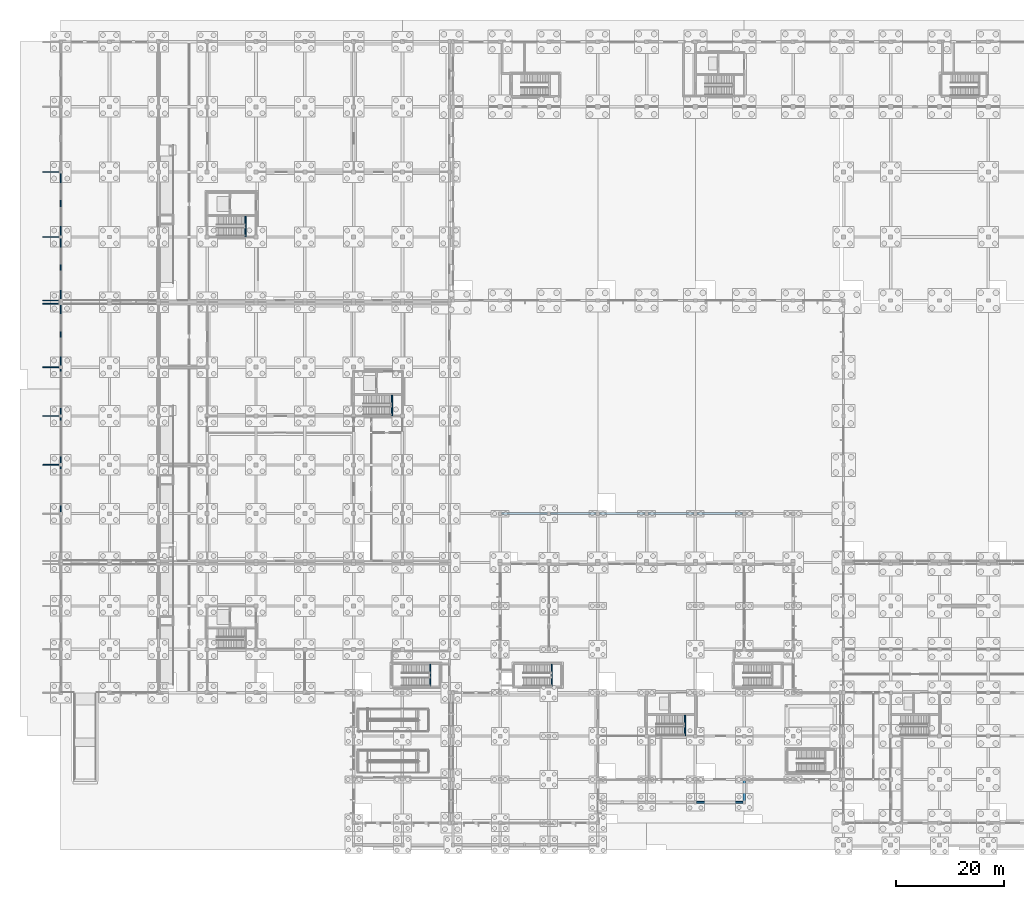
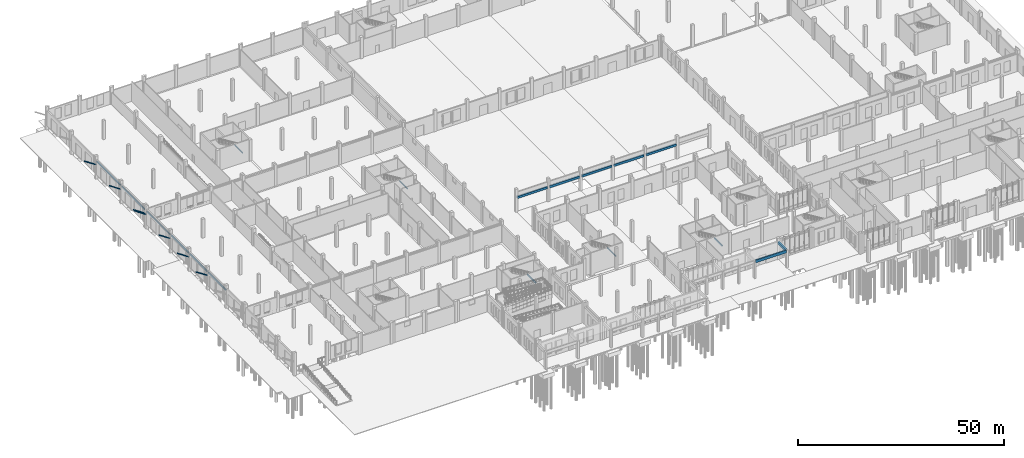
# One storey, part 40 of 99: 18 beams, 7 members.
"""IFC4 building model written with IfcOpenShell, lengths in metres."""

from ifc_helpers import new_model, si_unit, direction, frame, origin, origin_2d, place, context, subcontext, project, spatial, rectangle, hollow_circle, extrude, material, material_profile, profile_set, type_object, element, save


model = new_model("IFC4")

# Units and contexts
model_context = context("Model", 3, precision=1e-05, world=origin(), true_north=direction((0.0, 1.0)))
body_context = subcontext(model_context, "Body", "Model", "MODEL_VIEW")
ifc_project = project(units=[si_unit("LENGTHUNIT", "METRE"), si_unit("AREAUNIT", "SQUARE_METRE"), si_unit("VOLUMEUNIT", "CUBIC_METRE"), si_unit("PLANEANGLEUNIT", "RADIAN"), si_unit("MASSUNIT", "GRAM", prefix="KILO")], contexts=[model_context])

# Site, building, storey
site_placement = place(None, origin())
site = spatial("IfcSite", under=ifc_project, at=site_placement, CompositionType="ELEMENT")
building_placement = place(site_placement, origin())
building = spatial("IfcBuilding", under=site, at=building_placement, Name="Zacnel Wholesale Market", CompositionType="ELEMENT")
storey_placement = place(building_placement, origin())
storey = spatial("IfcBuildingStorey", under=building, at=storey_placement, Name="L01", CompositionType="ELEMENT", Elevation=0.0)

# Beams
ifc_material_1 = material(Name="Precast concrete C45/55", Category="concrete")
ifc_material_profile_1 = material_profile(ifc_material_1, rectangle(XDim=0.25, YDim=0.35009765625, at=origin_2d()), Name="LN 250x350")
ifc_profile_set_1 = profile_set([ifc_material_profile_1], Name="Precast concrete C45/55")
beam_type_1 = type_object("IfcBeamType", Name="BM-LN350", PredefinedType="LINTEL", material=ifc_profile_set_1)
beam_1_placement = place(storey_placement, frame((0.0, 66.300048828125, 5.080078125), z_axis=(0.0, 1.0, 0.0), x_axis=(-1.0, 0.0, 0.0)))
element("IfcBeam", 1, at=beam_1_placement, inside=storey, type_object=beam_type_1, Name="Precast dock lintel 06", PredefinedType="LINTEL", context=body_context, shape_type="SweptSolid", body=[
    extrude(rectangle(XDim=0.25, YDim=0.35009765625, at=origin_2d()), origin(), (0.0, 0.0, 1.0), 8.39990234375),
])
beam_2_placement = place(storey_placement, frame((0.0, 84.300048828125, 5.080078125), z_axis=(0.0, 1.0, 0.0), x_axis=(-1.0, 0.0, 0.0)))
element("IfcBeam", 2, at=beam_2_placement, inside=storey, type_object=beam_type_1, Name="Precast dock lintel 08", PredefinedType="LINTEL", context=body_context, shape_type="SweptSolid", body=[
    extrude(rectangle(XDim=0.25, YDim=0.35009765625, at=origin_2d()), origin(), (0.0, 0.0, 1.0), 11.125),
])
beam_3_placement = place(storey_placement, frame((0.0, 108.300048828125, 5.080078125), z_axis=(0.0, 1.0, 0.0), x_axis=(-1.0, 0.0, 0.0)))
element("IfcBeam", 3, at=beam_3_placement, inside=storey, type_object=beam_type_1, Name="Precast dock lintel 10", PredefinedType="LINTEL", context=body_context, shape_type="SweptSolid", body=[
    extrude(rectangle(XDim=0.25, YDim=0.35009765625, at=origin_2d()), origin(), (0.0, 0.0, 1.0), 11.39990234375),
])
for number, where, z_axis, x_axis, name in (
    (4, (61.06005859375, 75.080078125, 2.77490234375), (0.0, 1.0, 0.0), (-1.0, 0.0, 0.0), "Stair ST-09 half-landing bearing beam"),
    (5, (34.06005859375, 108.080078125, 2.77490234375), (0.0, 1.0, 0.0), (-1.0, 0.0, 0.0), "Stair ST-12 half-landing bearing beam"),
    (6, (115.06005859375, 16.080078125, 2.77490234375), (0.0, 1.0, 0.0), (-1.0, 0.0, 0.0), "Stair ST-16 half-landing bearing beam"),
):
    element("IfcBeam", number, at=place(storey_placement, frame(where, z_axis=z_axis, x_axis=x_axis)), inside=storey, type_object=beam_type_1, Name=name, PredefinedType="LINTEL", context=body_context, shape_type="SweptSolid", body=[
        extrude(rectangle(XDim=0.25, YDim=0.35009765625, at=origin_2d()), origin(), (0.0, 0.0, 1.0), 3.7900390625),
    ])
for number, where, z_axis, x_axis, name in (
    (7, (90.530029296875, 25.14990234375, 2.77490234375), (0.0, 1.0, 0.0), (-1.0, 0.0, 0.0), "Stair ST-18 half-landing bearing beam"),
    (8, (68.1298828125, 25.14990234375, 2.77490234375), (0.0, 1.0, 0.0), (-1.0, 0.0, 0.0), "Stair ST-23 half-landing bearing beam"),
):
    element("IfcBeam", number, at=place(storey_placement, frame(where, z_axis=z_axis, x_axis=x_axis)), inside=storey, type_object=beam_type_1, Name=name, PredefinedType="LINTEL", context=body_context, shape_type="SweptSolid", body=[
        extrude(rectangle(XDim=0.25, YDim=0.35009765625, at=origin_2d()), origin(), (0.0, 0.0, 1.0), 4.10009765625),
    ])
ifc_material_2 = material(Name="Precast concrete C45/55", Category="concrete")
ifc_material_profile_2 = material_profile(ifc_material_2, rectangle(XDim=0.25, YDim=0.39990234375, at=origin_2d()), Name="LN 250x400")
ifc_profile_set_2 = profile_set([ifc_material_profile_2], Name="Precast concrete C45/55")
beam_type_2 = type_object("IfcBeamType", Name="BM-LN400", PredefinedType="LINTEL", material=ifc_profile_set_2)
for number, where, z_axis, x_axis, name in (
    (9, (0.0, 57.300048828125, 5.080078125), (0.0, 1.0, 0.0), (-1.0, 0.0, 0.0), "Precast dock lintel 05"),
    (10, (0.0, 75.300048828125, 5.080078125), (0.0, 1.0, 0.0), (-1.0, 0.0, 0.0), "Precast dock lintel 07"),
):
    element("IfcBeam", number, at=place(storey_placement, frame(where, z_axis=z_axis, x_axis=x_axis)), inside=storey, type_object=beam_type_2, Name=name, PredefinedType="LINTEL", context=body_context, shape_type="SweptSolid", body=[
        extrude(rectangle(XDim=0.25, YDim=0.39990234375, at=origin_2d()), origin(), (0.0, 0.0, 1.0), 8.39990234375),
    ])
beam_4_placement = place(storey_placement, frame((0.0, 96.574951171875, 5.080078125), z_axis=(0.0, 1.0, 0.0), x_axis=(-1.0, 0.0, 0.0)))
element("IfcBeam", 11, at=beam_4_placement, inside=storey, type_object=beam_type_2, Name="Precast dock lintel 09", PredefinedType="LINTEL", context=body_context, shape_type="SweptSolid", body=[
    extrude(rectangle(XDim=0.25, YDim=0.39990234375, at=origin_2d()), origin(), (0.0, 0.0, 1.0), 11.125),
])
ifc_material_3 = material(Name="Precast concrete C45/55", Category="concrete")
ifc_material_profile_3 = material_profile(ifc_material_3, rectangle(XDim=0.39990234375, YDim=0.64990234375, at=origin_2d()), Name="PG 400x650")
ifc_profile_set_3 = profile_set([ifc_material_profile_3], Name="Precast concrete C45/55")
beam_type_3 = type_object("IfcBeamType", Name="BM-PG650", PredefinedType="BEAM", material=ifc_profile_set_3)
for number, where, z_axis, x_axis, name in (
    (12, (81.280029296875, 57.0, 4.125), (1.0, 0.0, 0.0), (0.0, 1.0, 0.0), "Auction portico architrave girder 01"),
    (13, (90.280029296875, 57.0, 4.125), (1.0, 0.0, 0.0), (0.0, 1.0, 0.0), "Auction portico architrave girder 02"),
    (14, (99.280029296875, 57.0, 4.125), (1.0, 0.0, 0.0), (0.0, 1.0, 0.0), "Auction portico architrave girder 03"),
    (15, (108.280029296875, 57.0, 4.125), (1.0, 0.0, 0.0), (0.0, 1.0, 0.0), "Auction portico architrave girder 04"),
    (16, (117.280029296875, 57.0, 4.125), (1.0, 0.0, 0.0), (0.0, 1.0, 0.0), "Auction portico architrave girder 05"),
):
    element("IfcBeam", number, at=place(storey_placement, frame(where, z_axis=z_axis, x_axis=x_axis)), inside=storey, type_object=beam_type_3, Name=name, PredefinedType="BEAM", context=body_context, shape_type="SweptSolid", body=[
        extrude(rectangle(XDim=0.39990234375, YDim=0.64990234375, at=origin_2d()), origin(), (0.0, 0.0, 1.0), 8.43994140625),
    ])
ifc_material_4 = material(Name="Precast concrete C45/55", Category="concrete")
ifc_material_profile_4 = material_profile(ifc_material_4, rectangle(XDim=0.39990234375, YDim=0.699951171875, at=origin_2d()), Name="PG 400x700")
ifc_profile_set_4 = profile_set([ifc_material_profile_4], Name="Precast concrete C45/55")
beam_type_4 = type_object("IfcBeamType", Name="BM-PG700", PredefinedType="BEAM", material=ifc_profile_set_4)
beam_5_placement = place(storey_placement, frame((126.0, 4.02001953125, 4.925048828125), z_axis=(0.0, 1.0, 0.0), x_axis=(-1.0, 0.0, 0.0)))
element("IfcBeam", 17, at=beam_5_placement, inside=storey, type_object=beam_type_4, Name="Boulevard colonnade cross-beam 04", PredefinedType="BEAM", context=body_context, shape_type="SweptSolid", body=[
    extrude(rectangle(XDim=0.39990234375, YDim=0.699951171875, at=origin_2d()), origin(), (0.0, 0.0, 1.0), 3.85986328125),
])
ifc_material_5 = material(Name="Precast concrete C45/55", Category="concrete")
ifc_material_profile_5 = material_profile(ifc_material_5, rectangle(XDim=0.320068359375, YDim=0.820068359375, at=origin_2d()), Name="SP 320x820")
ifc_profile_set_5 = profile_set([ifc_material_profile_5], Name="Precast concrete C45/55")
beam_type_5 = type_object("IfcBeamType", Name="BM-SP820", PredefinedType="SPANDREL", material=ifc_profile_set_5)
beam_6_placement = place(storey_placement, frame((117.199951171875, 3.800048828125, 4.864990234375), z_axis=(1.0, 0.0, 0.0), x_axis=(0.0, 1.0, 0.0)))
element("IfcBeam", 18, at=beam_6_placement, inside=storey, type_object=beam_type_5, Name="Boulevard colonnade architrave 03", PredefinedType="SPANDREL", context=body_context, shape_type="SweptSolid", body=[
    extrude(rectangle(XDim=0.320068359375, YDim=0.820068359375, at=origin_2d()), origin(), (0.0, 0.0, 1.0), 8.60009765625),
])

# Members
ifc_material_6 = material(Name="Steel S355", Category="steel")
ifc_material_profile_6 = material_profile(ifc_material_6, hollow_circle(Radius=0.109619140625, WallThickness=0.010009765625, at=origin_2d()), Name="CHS 219.1x10")
ifc_profile_set_6 = profile_set([ifc_material_profile_6], Name="Steel S355")
member_type = type_object("IfcMemberType", Name="MEM-BRC-CHS219", PredefinedType="BRACE", material=ifc_profile_set_6)
member_1_placement = place(storey_placement, frame((-0.14990234375, 66.0, 4.10009765625), z_axis=(-0.832794267747, 0.0, 0.553582611367), x_axis=(0.0, -1.0, 0.0)))
element("IfcMember", 19, at=member_1_placement, inside=storey, type_object=member_type, Name="Dock canopy diagonal brace 07", PredefinedType="BRACE", context=body_context, shape_type="SweptSolid", body=[
    extrude(hollow_circle(Radius=0.109619140625, WallThickness=0.010009765625, at=origin_2d()), origin(), (0.0, 0.0, 1.0), 3.78271484375),
])
member_2_placement = place(storey_placement, frame((-0.14990234375, 75.0, 4.10009765625), z_axis=(-0.826719088587, 0.0, 0.562614920319), x_axis=(0.0, -1.0, 0.0)))
element("IfcMember", 20, at=member_2_placement, inside=storey, type_object=member_type, Name="Dock canopy diagonal brace 08", PredefinedType="BRACE", context=body_context, shape_type="SweptSolid", body=[
    extrude(hollow_circle(Radius=0.109619140625, WallThickness=0.010009765625, at=origin_2d()), origin(), (0.0, 0.0, 1.0), 3.810302734375),
])
member_3_placement = place(storey_placement, frame((-0.14990234375, 84.0, 4.10009765625), z_axis=(-0.832794267747, 0.0, 0.553582611367), x_axis=(0.0, -1.0, 0.0)))
element("IfcMember", 21, at=member_3_placement, inside=storey, type_object=member_type, Name="Dock canopy diagonal brace 09", PredefinedType="BRACE", context=body_context, shape_type="SweptSolid", body=[
    extrude(hollow_circle(Radius=0.109619140625, WallThickness=0.010009765625, at=origin_2d()), origin(), (0.0, 0.0, 1.0), 3.78271484375),
])
member_4_placement = place(storey_placement, frame((-0.14990234375, 95.699951171875, 4.10009765625), z_axis=(-0.826719088587, 0.0, 0.562614920319), x_axis=(0.0, -1.0, 0.0)))
element("IfcMember", 22, at=member_4_placement, inside=storey, type_object=member_type, Name="Dock canopy diagonal brace 10", PredefinedType="BRACE", context=body_context, shape_type="SweptSolid", body=[
    extrude(hollow_circle(Radius=0.109619140625, WallThickness=0.010009765625, at=origin_2d()), origin(), (0.0, 0.0, 1.0), 3.810302734375),
])
member_5_placement = place(storey_placement, frame((-0.14990234375, 96.300048828125, 4.10009765625), z_axis=(-0.832794267747, 0.0, 0.553582611367), x_axis=(0.0, -1.0, 0.0)))
element("IfcMember", 23, at=member_5_placement, inside=storey, type_object=member_type, Name="Dock canopy diagonal brace 11", PredefinedType="BRACE", context=body_context, shape_type="SweptSolid", body=[
    extrude(hollow_circle(Radius=0.109619140625, WallThickness=0.010009765625, at=origin_2d()), origin(), (0.0, 0.0, 1.0), 3.78271484375),
])
member_6_placement = place(storey_placement, frame((-0.14990234375, 108.0, 4.10009765625), z_axis=(-0.826719088587, 0.0, 0.562614920319), x_axis=(0.0, -1.0, 0.0)))
element("IfcMember", 24, at=member_6_placement, inside=storey, type_object=member_type, Name="Dock canopy diagonal brace 12", PredefinedType="BRACE", context=body_context, shape_type="SweptSolid", body=[
    extrude(hollow_circle(Radius=0.109619140625, WallThickness=0.010009765625, at=origin_2d()), origin(), (0.0, 0.0, 1.0), 3.810302734375),
])
member_7_placement = place(storey_placement, frame((-0.14990234375, 120.0, 4.10009765625), z_axis=(-0.832794267747, 0.0, 0.553582611367), x_axis=(0.0, -1.0, 0.0)))
element("IfcMember", 25, at=member_7_placement, inside=storey, type_object=member_type, Name="Dock canopy diagonal brace 13", PredefinedType="BRACE", context=body_context, shape_type="SweptSolid", body=[
    extrude(hollow_circle(Radius=0.109619140625, WallThickness=0.010009765625, at=origin_2d()), origin(), (0.0, 0.0, 1.0), 3.78271484375),
])

save(model, "model.ifc")
